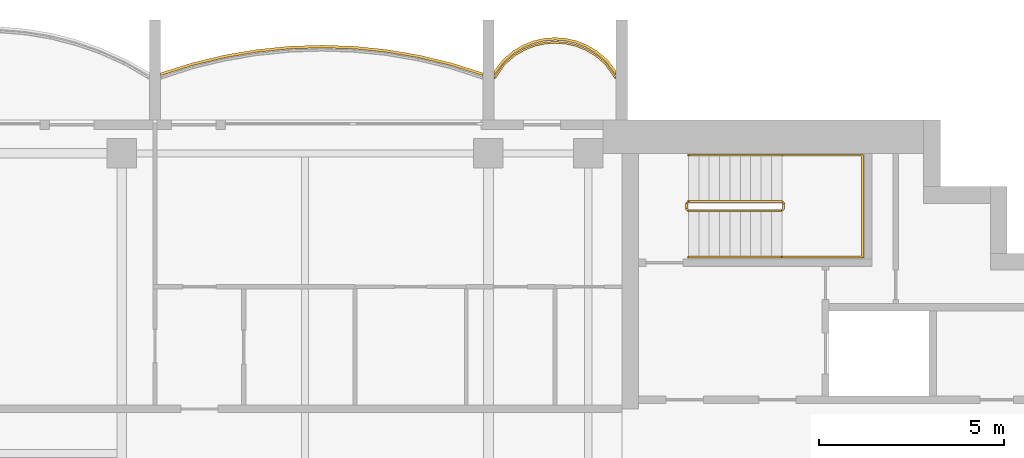
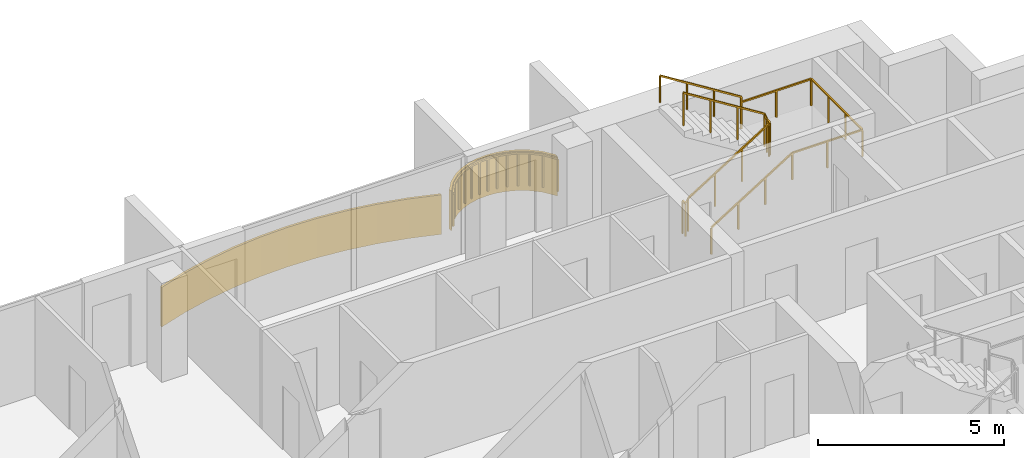
# One storey, part 16 of 16: 3 railings, 2 coverings.
"""IFC4 building model written with IfcOpenShell, lengths in metres."""

from ifc_helpers import new_model, si_unit, direction, frame, origin, origin_2d, place, context, subcontext, project, spatial, polyline, rectangle, outline, extrude, material, layer, layer_set, type_object, element, save


model = new_model("IFC4")

# Units and contexts
model_context = context("Model", 3, precision=1e-05, world=origin(), true_north=direction((0.0, 1.0)))
body_context = subcontext(model_context, "Body", "Model", "MODEL_VIEW")
ifc_project = project(units=[si_unit("LENGTHUNIT", "METRE"), si_unit("AREAUNIT", "SQUARE_METRE"), si_unit("VOLUMEUNIT", "CUBIC_METRE"), si_unit("PLANEANGLEUNIT", "RADIAN"), si_unit("MASSUNIT", "GRAM", prefix="KILO")], contexts=[model_context])

# Site, building, storey
site_placement = place(None, origin())
site = spatial("IfcSite", under=ifc_project, at=site_placement, CompositionType="ELEMENT")
building_placement = place(site_placement, origin())
building = spatial("IfcBuilding", under=site, at=building_placement, Name="Perihelion Cross Residences", CompositionType="ELEMENT")
storey_placement = place(building_placement, frame((0.0, 0.0, 236.0)))
storey = spatial("IfcBuildingStorey", under=building, at=storey_placement, Name="L59", CompositionType="ELEMENT", Elevation=236.0)

# Coverings
ifc_material_1 = material(Name="Bronze anodised aluminium", Category="aluminium")
ifc_layer = layer(ifc_material_1, 0.070068359375)
ifc_layer_set = layer_set([ifc_layer], Name="Balcony fascia 1300")
covering_type = type_object("IfcCoveringType", Name="Balcony fascia 1300", PredefinedType="CLADDING", material=ifc_layer_set)
covering_1_placement = place(storey_placement, frame((0.0, 0.0, -0.199951171875)))
element("IfcCovering", 1, at=covering_1_placement, inside=storey, type_object=covering_type, Name="Fascia BF1 L59 east side north bay 1", PredefinedType="CLADDING", context=body_context, shape_type="SweptSolid", body=[
    extrude(outline(polyline([(21.226318359375, 10.616455078125), (20.94091796875, 10.86328125), (20.655517578125, 11.031494140625), (20.370361328125, 11.142578125), (20.085205078125, 11.206298828125), (19.800048828125, 11.22705078125), (19.514892578125, 11.206298828125), (19.229736328125, 11.142578125), (18.9443359375, 11.031494140625), (18.6591796875, 10.86328125), (18.373779296875, 10.616455078125), (18.14990234375, 10.31689453125), (18.14990234375, 10.199951171875), (18.425048828125, 10.568603515625), (18.699951171875, 10.806396484375), (18.97509765625, 10.96875), (19.25, 11.07568359375), (19.52490234375, 11.136962890625), (19.800048828125, 11.156982421875), (20.074951171875, 11.136962890625), (20.35009765625, 11.07568359375), (20.625, 10.96875), (20.89990234375, 10.806396484375), (21.175048828125, 10.568603515625), (21.449951171875, 10.199951171875), (21.449951171875, 10.31689453125), (21.226318359375, 10.616455078125)])), origin(), (0.0, 0.0, 1.0), 1.300048828125),
])
covering_2_placement = place(storey_placement, frame((0.0, 0.0, -0.199951171875)))
element("IfcCovering", 2, at=covering_2_placement, inside=storey, type_object=covering_type, Name="Fascia BF1 L59 east side north bay 2", PredefinedType="CLADDING", context=body_context, shape_type="SweptSolid", body=[
    extrude(outline(polyline([(16.998779296875, 10.542724609375), (16.1240234375, 10.753662109375), (15.249267578125, 10.90234375), (14.374755859375, 10.99072265625), (13.5, 11.02001953125), (12.625244140625, 10.99072265625), (11.750732421875, 10.90234375), (10.8759765625, 10.753662109375), (10.001220703125, 10.542724609375), (9.14990234375, 10.2734375), (9.14990234375, 10.199951171875), (10.02001953125, 10.47509765625), (10.889892578125, 10.68505859375), (11.760009765625, 10.8330078125), (12.6298828125, 10.9208984375), (13.5, 10.949951171875), (14.3701171875, 10.9208984375), (15.239990234375, 10.8330078125), (16.110107421875, 10.68505859375), (16.97998046875, 10.47509765625), (17.85009765625, 10.199951171875), (17.85009765625, 10.2734375), (16.998779296875, 10.542724609375)])), origin(), (0.0, 0.0, 1.0), 1.300048828125),
])

# Railings
ifc_material_2 = material(Name="Bronze anodised aluminium", Category="aluminium")
railing_type_1 = type_object("IfcRailingType", Name="Balcony guard 1100", PredefinedType="GUARDRAIL", material=ifc_material_2)
railing_1_placement = place(storey_placement, frame((21.425048828125, 10.139892578125, 0.0)))
element("IfcRailing", 3, at=railing_1_placement, inside=storey, type_object=railing_type_1, Name="Guard GU1 L59 east side north bay 1 balcony", PredefinedType="GUARDRAIL", context=body_context, shape_type="SweptSolid", body=[
    extrude(rectangle(XDim=0.048095703125, YDim=0.048095703125, at=origin_2d()), frame((0.0, 0.0, 1.076171875), z_axis=(-0.561260132269, 0.827639452857, 0.0), x_axis=(-0.827639452857, -0.561260132269, 0.0)), (0.0, 0.0, 1.0), 0.4453125),
    extrude(rectangle(XDim=0.048095703125, YDim=0.048095703125, at=origin_2d()), frame((-0.25, 0.36865234375, 1.076171875), z_axis=(-0.756596535164, 0.653882009982, 0.0), x_axis=(-0.653882009982, -0.756596535164, 0.0)), (0.0, 0.0, 1.0), 0.36376953125),
    extrude(rectangle(XDim=0.048095703125, YDim=0.048095703125, at=origin_2d()), frame((-0.525146484375, 0.6064453125, 1.076171875), z_axis=(-0.861048292884, 0.508523192511, 0.0), x_axis=(-0.508523192511, -0.861048292884, 0.0)), (0.0, 0.0, 1.0), 0.3193359375),
    extrude(rectangle(XDim=0.048095703125, YDim=0.048095703125, at=origin_2d()), frame((-0.800048828125, 0.768798828125, 1.076171875), z_axis=(-0.931973602183, 0.362526143656, 0.0), x_axis=(-0.362526143656, -0.931973602183, 0.0)), (0.0, 0.0, 1.0), 0.294921875),
    extrude(rectangle(XDim=0.048095703125, YDim=0.048095703125, at=origin_2d()), frame((-1.074951171875, 0.875732421875, 1.076171875), z_axis=(-0.976085059389, 0.21738895289, 0.0), x_axis=(-0.21738895289, -0.976085059389, 0.0)), (0.0, 0.0, 1.0), 0.281982421875),
    extrude(rectangle(XDim=0.048095703125, YDim=0.048095703125, at=origin_2d()), frame((-1.35009765625, 0.93701171875, 1.076171875), z_axis=(-0.997358821833, 0.072631814734, 0.0), x_axis=(-0.072631814734, -0.997358821833, 0.0)), (0.0, 0.0, 1.0), 0.275634765625),
    extrude(rectangle(XDim=0.048095703125, YDim=0.048095703125, at=origin_2d()), frame((-1.625, 0.95703125, 1.076171875), z_axis=(-0.997363488337, -0.072567707226, 0.0), x_axis=(0.072567707226, -0.997363488337, 0.0)), (0.0, 0.0, 1.0), 0.27587890625),
    extrude(rectangle(XDim=0.048095703125, YDim=0.048095703125, at=origin_2d()), frame((-1.900146484375, 0.93701171875, 1.076171875), z_axis=(-0.976044077717, -0.217572880557, 0.0), x_axis=(0.217572880557, -0.976044077717, 0.0)), (0.0, 0.0, 1.0), 0.28173828125),
    extrude(rectangle(XDim=0.048095703125, YDim=0.048095703125, at=origin_2d()), frame((-2.175048828125, 0.875732421875, 1.076171875), z_axis=(-0.931973602183, -0.362526143656, 0.0), x_axis=(0.362526143656, -0.931973602183, 0.0)), (0.0, 0.0, 1.0), 0.294921875),
    extrude(rectangle(XDim=0.048095703125, YDim=0.048095703125, at=origin_2d()), frame((-2.449951171875, 0.768798828125, 1.076171875), z_axis=(-0.861245845072, -0.508188542123, 0.0), x_axis=(0.508188542123, -0.861245845072, 0.0)), (0.0, 0.0, 1.0), 0.319580078125),
    extrude(rectangle(XDim=0.048095703125, YDim=0.048095703125, at=origin_2d()), frame((-2.72509765625, 0.6064453125, 1.076171875), z_axis=(-0.756309278473, -0.654214242658, 0.0), x_axis=(0.654214242658, -0.756309278473, 0.0)), (0.0, 0.0, 1.0), 0.363525390625),
    extrude(rectangle(XDim=0.048095703125, YDim=0.048095703125, at=origin_2d()), frame((-3.0, 0.36865234375, 1.076171875), z_axis=(-0.561260132269, -0.827639452857, 0.0), x_axis=(0.827639452857, -0.561260132269, 0.0)), (0.0, 0.0, 1.0), 0.4453125),
    extrude(rectangle(XDim=0.0419921875, YDim=0.0419921875, at=origin_2d()), origin(), (0.0, 0.0, 1.0), 1.052001953125),
    extrude(rectangle(XDim=0.0419921875, YDim=0.0419921875, at=origin_2d()), frame((-0.25, 0.36865234375, 0.0)), (0.0, 0.0, 1.0), 1.052001953125),
    extrude(rectangle(XDim=0.0419921875, YDim=0.0419921875, at=origin_2d()), frame((-0.525146484375, 0.6064453125, 0.0)), (0.0, 0.0, 1.0), 1.052001953125),
    extrude(rectangle(XDim=0.0419921875, YDim=0.0419921875, at=origin_2d()), frame((-0.800048828125, 0.768798828125, 0.0)), (0.0, 0.0, 1.0), 1.052001953125),
    extrude(rectangle(XDim=0.0419921875, YDim=0.0419921875, at=origin_2d()), frame((-1.074951171875, 0.875732421875, 0.0)), (0.0, 0.0, 1.0), 1.052001953125),
    extrude(rectangle(XDim=0.0419921875, YDim=0.0419921875, at=origin_2d()), frame((-1.35009765625, 0.93701171875, 0.0)), (0.0, 0.0, 1.0), 1.052001953125),
    extrude(rectangle(XDim=0.0419921875, YDim=0.0419921875, at=origin_2d()), frame((-1.625, 0.95703125, 0.0)), (0.0, 0.0, 1.0), 1.052001953125),
    extrude(rectangle(XDim=0.0419921875, YDim=0.0419921875, at=origin_2d()), frame((-1.900146484375, 0.93701171875, 0.0)), (0.0, 0.0, 1.0), 1.052001953125),
    extrude(rectangle(XDim=0.0419921875, YDim=0.0419921875, at=origin_2d()), frame((-2.175048828125, 0.875732421875, 0.0)), (0.0, 0.0, 1.0), 1.052001953125),
    extrude(rectangle(XDim=0.0419921875, YDim=0.0419921875, at=origin_2d()), frame((-2.449951171875, 0.768798828125, 0.0)), (0.0, 0.0, 1.0), 1.052001953125),
    extrude(rectangle(XDim=0.0419921875, YDim=0.0419921875, at=origin_2d()), frame((-2.72509765625, 0.6064453125, 0.0)), (0.0, 0.0, 1.0), 1.052001953125),
    extrude(rectangle(XDim=0.0419921875, YDim=0.0419921875, at=origin_2d()), frame((-3.0, 0.36865234375, 0.0)), (0.0, 0.0, 1.0), 1.052001953125),
    extrude(rectangle(XDim=0.0419921875, YDim=0.0419921875, at=origin_2d()), frame((-3.25, 0.0, 0.0)), (0.0, 0.0, 1.0), 1.052001953125),
])
ifc_material_3 = material(Name="Stainless steel", Category="steel")
railing_type_2 = type_object("IfcRailingType", Name="Stair guard 1100", PredefinedType="GUARDRAIL", material=ifc_material_3)
railing_2_placement = place(storey_placement, frame((23.35009765625, 6.75, 0.0)))
element("IfcRailing", 4, at=railing_2_placement, inside=storey, type_object=railing_type_2, Name="L59 ST-E1 stair guard 1", PredefinedType="GUARDRAIL", context=body_context, shape_type="SweptSolid", body=[
    extrude(rectangle(XDim=0.048095703125, YDim=0.048095703125, at=origin_2d()), frame((0.0, 0.0, 1.076171875), z_axis=(0.0, -1.0, 0.0), x_axis=(1.0, 0.0, 0.0)), (0.0, 0.0, 1.0), 0.14990234375),
    extrude(rectangle(XDim=0.048095703125, YDim=0.048095703125, at=origin_2d()), frame((0.0, -0.14990234375, 1.076171875), z_axis=(0.263862480399, -0.265155923931, 0.927399011991), x_axis=(0.708833529934, 0.705375805398, 0.0)), (0.0, 0.0, 1.0), 0.188720703125),
    extrude(rectangle(XDim=0.048095703125, YDim=0.048095703125, at=origin_2d()), frame((0.0498046875, -0.199951171875, 1.2509765625), z_axis=(0.848007534815, 0.0, 0.529984170421), x_axis=(0.0, 1.0, 0.0)), (0.0, 0.0, 1.0), 2.9716796875),
    extrude(rectangle(XDim=0.048095703125, YDim=0.048095703125, at=origin_2d()), frame((2.56982421875, -0.199951171875, 2.826171875), z_axis=(0.707106781187, 0.707106781187, 0.0), x_axis=(-0.707106781187, 0.707106781187, 0.0)), (0.0, 0.0, 1.0), 0.07080078125),
    extrude(rectangle(XDim=0.048095703125, YDim=0.048095703125, at=origin_2d()), frame((2.619873046875, -0.14990234375, 2.826171875), z_axis=(0.0, 1.0, 0.0), x_axis=(-1.0, 0.0, 0.0)), (0.0, 0.0, 1.0), 0.14990234375),
    extrude(rectangle(XDim=0.048095703125, YDim=0.048095703125, at=origin_2d()), frame((2.619873046875, 0.0, 2.826171875), z_axis=(-0.265065253269, 0.265065253269, 0.927081885822), x_axis=(-0.707106781187, -0.707106781187, 0.0)), (0.0, 0.0, 1.0), 0.188720703125),
    extrude(rectangle(XDim=0.048095703125, YDim=0.048095703125, at=origin_2d()), frame((2.56982421875, 0.050048828125, 3.0009765625), z_axis=(-0.848007534815, 0.0, 0.529984170421), x_axis=(0.0, -1.0, 0.0)), (0.0, 0.0, 1.0), 2.9716796875),
    extrude(rectangle(XDim=0.0419921875, YDim=0.0419921875, at=origin_2d()), origin(), (0.0, 0.0, 1.0), 1.052001953125),
    extrude(rectangle(XDim=0.0419921875, YDim=0.0419921875, at=origin_2d()), frame((0.0, -0.14990234375, 0.0)), (0.0, 0.0, 1.0), 1.052001953125),
    extrude(rectangle(XDim=0.0419921875, YDim=0.0419921875, at=origin_2d()), frame((0.0498046875, -0.199951171875, 0.175048828125)), (0.0, 0.0, 1.0), 1.052001953125),
    extrude(rectangle(XDim=0.0419921875, YDim=0.0419921875, at=origin_2d()), frame((0.889892578125, -0.199951171875, 0.699951171875)), (0.0, 0.0, 1.0), 1.052001953125),
    extrude(rectangle(XDim=0.0419921875, YDim=0.0419921875, at=origin_2d()), frame((1.729736328125, -0.199951171875, 1.22509765625)), (0.0, 0.0, 1.0), 1.052001953125),
    extrude(rectangle(XDim=0.0419921875, YDim=0.0419921875, at=origin_2d()), frame((2.56982421875, -0.199951171875, 1.75)), (0.0, 0.0, 1.0), 1.052001953125),
    extrude(rectangle(XDim=0.0419921875, YDim=0.0419921875, at=origin_2d()), frame((2.619873046875, -0.14990234375, 1.75)), (0.0, 0.0, 1.0), 1.052001953125),
    extrude(rectangle(XDim=0.0419921875, YDim=0.0419921875, at=origin_2d()), frame((2.619873046875, 0.0, 1.75)), (0.0, 0.0, 1.0), 1.052001953125),
    extrude(rectangle(XDim=0.0419921875, YDim=0.0419921875, at=origin_2d()), frame((2.56982421875, 0.050048828125, 1.925048828125)), (0.0, 0.0, 1.0), 1.052001953125),
    extrude(rectangle(XDim=0.0419921875, YDim=0.0419921875, at=origin_2d()), frame((1.729736328125, 0.050048828125, 2.449951171875)), (0.0, 0.0, 1.0), 1.052001953125),
    extrude(rectangle(XDim=0.0419921875, YDim=0.0419921875, at=origin_2d()), frame((0.889892578125, 0.050048828125, 2.97509765625)), (0.0, 0.0, 1.0), 1.052001953125),
    extrude(rectangle(XDim=0.0419921875, YDim=0.0419921875, at=origin_2d()), frame((0.0498046875, 0.050048828125, 3.5)), (0.0, 0.0, 1.0), 1.052001953125),
])
ifc_material_4 = material(Name="Stainless steel", Category="steel")
railing_type_3 = type_object("IfcRailingType", Name="Stair handrail 900", PredefinedType="HANDRAIL", material=ifc_material_4)
railing_3_placement = place(storey_placement, frame((23.39990234375, 5.300048828125, 0.175048828125)))
element("IfcRailing", 5, at=railing_3_placement, inside=storey, type_object=railing_type_3, Name="L59 ST-E1 stair handrail 1", PredefinedType="HANDRAIL", context=body_context, shape_type="SweptSolid", body=[
    extrude(rectangle(XDim=0.048095703125, YDim=0.048095703125, at=origin_2d()), frame((0.0, 0.0, 0.8759765625), z_axis=(0.848007534815, 0.0, 0.529984170421), x_axis=(0.0, 1.0, 0.0)), (0.0, 0.0, 1.0), 2.9716796875),
    extrude(rectangle(XDim=0.048095703125, YDim=0.048095703125, at=origin_2d()), frame((2.52001953125, 0.0, 2.45068359375), z_axis=(1.0, 0.0, 0.0), x_axis=(0.0, 1.0, 0.0)), (0.0, 0.0, 1.0), 2.18017578125),
    extrude(rectangle(XDim=0.048095703125, YDim=0.048095703125, at=origin_2d()), frame((4.7001953125, 0.0, 2.45068359375), z_axis=(0.0, 1.0, 0.0), x_axis=(-1.0, 0.0, 0.0)), (0.0, 0.0, 1.0), 2.75),
    extrude(rectangle(XDim=0.048095703125, YDim=0.048095703125, at=origin_2d()), frame((4.7001953125, 2.75, 2.45068359375), z_axis=(-1.0, 0.0, 0.0), x_axis=(0.0, -1.0, 0.0)), (0.0, 0.0, 1.0), 2.18017578125),
    extrude(rectangle(XDim=0.048095703125, YDim=0.048095703125, at=origin_2d()), frame((2.52001953125, 2.75, 2.45068359375), z_axis=(0.0, 0.0, 1.0), x_axis=(1.0, 0.0, 0.0)), (0.0, 0.0, 1.0), 0.175048828125),
    extrude(rectangle(XDim=0.048095703125, YDim=0.048095703125, at=origin_2d()), frame((2.52001953125, 2.75, 2.6259765625), z_axis=(-0.848007534815, 0.0, 0.529984170421), x_axis=(0.0, -1.0, 0.0)), (0.0, 0.0, 1.0), 2.9716796875),
    extrude(rectangle(XDim=0.0419921875, YDim=0.0419921875, at=origin_2d()), origin(), (0.0, 0.0, 1.0), 0.851806640625),
    extrude(rectangle(XDim=0.0419921875, YDim=0.0419921875, at=origin_2d()), frame((0.840087890625, 0.0, 0.52490234375)), (0.0, 0.0, 1.0), 0.851806640625),
    extrude(rectangle(XDim=0.0419921875, YDim=0.0419921875, at=origin_2d()), frame((1.679931640625, 0.0, 1.050048828125)), (0.0, 0.0, 1.0), 0.851806640625),
    extrude(rectangle(XDim=0.0419921875, YDim=0.0419921875, at=origin_2d()), frame((2.52001953125, 0.0, 1.574951171875)), (0.0, 0.0, 1.0), 0.851806640625),
    extrude(rectangle(XDim=0.0419921875, YDim=0.0419921875, at=origin_2d()), frame((3.610107421875, 0.0, 1.574951171875)), (0.0, 0.0, 1.0), 0.851806640625),
    extrude(rectangle(XDim=0.0419921875, YDim=0.0419921875, at=origin_2d()), frame((4.7001953125, 0.0, 1.574951171875)), (0.0, 0.0, 1.0), 0.851806640625),
    extrude(rectangle(XDim=0.0419921875, YDim=0.0419921875, at=origin_2d()), frame((4.7001953125, 0.916748046875, 1.574951171875)), (0.0, 0.0, 1.0), 0.851806640625),
    extrude(rectangle(XDim=0.0419921875, YDim=0.0419921875, at=origin_2d()), frame((4.7001953125, 1.833251953125, 1.574951171875)), (0.0, 0.0, 1.0), 0.851806640625),
    extrude(rectangle(XDim=0.0419921875, YDim=0.0419921875, at=origin_2d()), frame((4.7001953125, 2.75, 1.574951171875)), (0.0, 0.0, 1.0), 0.851806640625),
    extrude(rectangle(XDim=0.0419921875, YDim=0.0419921875, at=origin_2d()), frame((3.610107421875, 2.75, 1.574951171875)), (0.0, 0.0, 1.0), 0.851806640625),
    extrude(rectangle(XDim=0.0419921875, YDim=0.0419921875, at=origin_2d()), frame((2.52001953125, 2.75, 1.574951171875)), (0.0, 0.0, 1.0), 0.851806640625),
    extrude(rectangle(XDim=0.0419921875, YDim=0.0419921875, at=origin_2d()), frame((2.52001953125, 2.75, 1.75)), (0.0, 0.0, 1.0), 0.851806640625),
    extrude(rectangle(XDim=0.0419921875, YDim=0.0419921875, at=origin_2d()), frame((1.679931640625, 2.75, 2.27490234375)), (0.0, 0.0, 1.0), 0.851806640625),
    extrude(rectangle(XDim=0.0419921875, YDim=0.0419921875, at=origin_2d()), frame((0.840087890625, 2.75, 2.800048828125)), (0.0, 0.0, 1.0), 0.851806640625),
    extrude(rectangle(XDim=0.0419921875, YDim=0.0419921875, at=origin_2d()), frame((0.0, 2.75, 3.324951171875)), (0.0, 0.0, 1.0), 0.851806640625),
])

save(model, "model.ifc")
